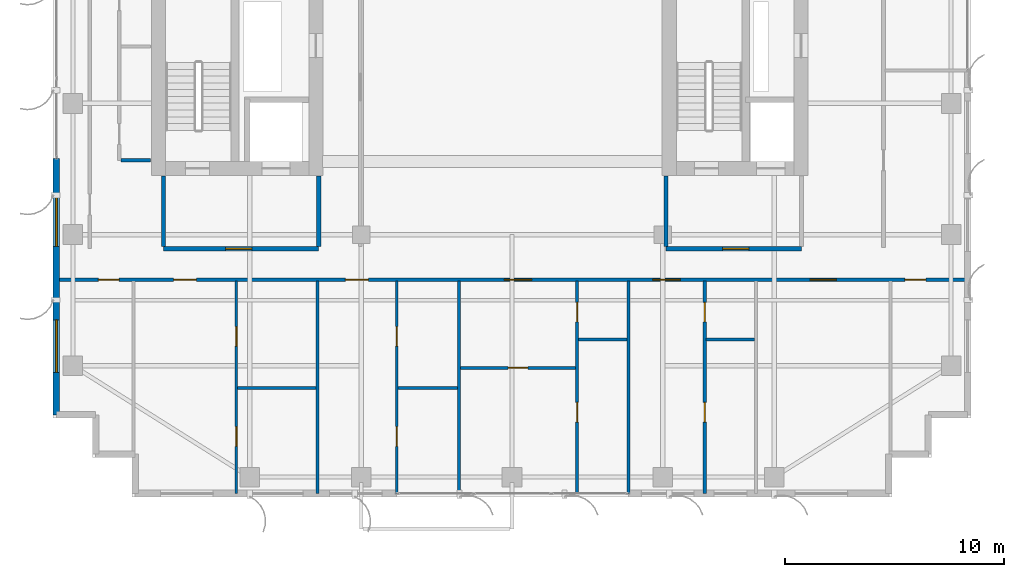
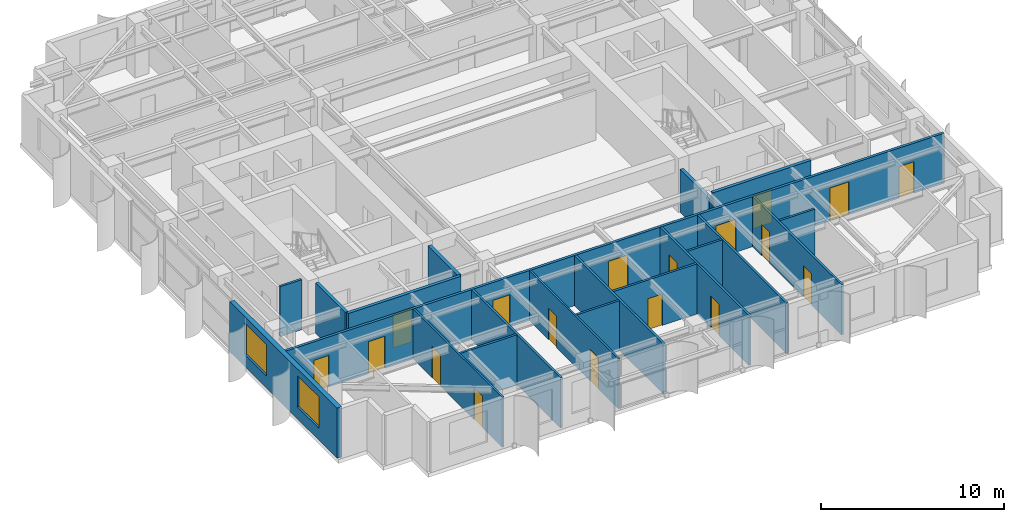
# One storey, part 16 of 23: 20 walls, 18 doors, 2 windows, 20 openings.
"""IFC4 building model written with IfcOpenShell, lengths in metres."""

from ifc_helpers import new_model, si_unit, direction, frame, frame_2d, origin, place, context, subcontext, project, spatial, rectangle, extrude, source, transform, mapped, material, layer, layer_set, type_object, element, fill, save


model = new_model("IFC4")

# Units and contexts
model_context = context("Model", 3, precision=1e-05, world=origin(), true_north=direction((0.0, 1.0)))
body_context = subcontext(model_context, "Body", "Model", "MODEL_VIEW")
ifc_project = project(units=[si_unit("LENGTHUNIT", "METRE"), si_unit("AREAUNIT", "SQUARE_METRE"), si_unit("VOLUMEUNIT", "CUBIC_METRE"), si_unit("PLANEANGLEUNIT", "RADIAN"), si_unit("MASSUNIT", "GRAM", prefix="KILO")], contexts=[model_context])

# Site, building, storey
site_placement = place(None, origin())
site = spatial("IfcSite", under=ifc_project, at=site_placement, CompositionType="ELEMENT")
building_placement = place(site_placement, origin())
building = spatial("IfcBuilding", under=site, at=building_placement, Name="Khoralis Quay Care Tower", CompositionType="ELEMENT")
storey_placement = place(building_placement, frame((0.0, 0.0, 173.699951171875)))
storey = spatial("IfcBuildingStorey", under=building, at=storey_placement, Name="L45", CompositionType="ELEMENT", Elevation=173.699951171875)

# Wall, opening, door
ifc_material_1 = material(Name="Gypsum plasterboard on acoustic metal stud")
ifc_layer_1 = layer(ifc_material_1, 0.199951171875)
ifc_layer_set_1 = layer_set([ifc_layer_1], Name="Gypsum plasterboard on acoustic metal stud")
wall_type_1 = type_object("IfcWallType", Name="WL-COMP-200", PredefinedType="PARTITIONING", material=ifc_layer_set_1)
wall_1_placement = place(storey_placement, frame((8.050048828125, 11.35009765625, 0.0), z_axis=(0.0, 0.0, 1.0), x_axis=(1.0, 0.0, 0.0)))
wall_1 = element("IfcWall", 1, at=wall_1_placement, inside=storey, type_object=wall_type_1, Name="L45 West Firefighting Lobby South Wall", PredefinedType="PARTITIONING", context=body_context, shape_type="SweptSolid", body=[
    extrude(rectangle(XDim=7.099853515625, YDim=0.199951171875, at=frame_2d((3.5498046875, 0.0))), origin(), (0.0, 0.0, 1.0), 3.340087890625),
])
opening_1_placement = place(wall_1_placement, frame((2.846435546875, 0.0, 0.0)))
opening_1 = element("IfcOpeningElement", 2, at=opening_1_placement, cuts=wall_1, Name="Opening FD1", PredefinedType="OPENING", context=body_context, shape_type="SweptSolid", body=[
    extrude(rectangle(XDim=1.199951171875, YDim=2.199951171875, at=frame_2d((0.60009765625, 1.10009765625))), frame((0.0, 0.10986328125, 0.0), z_axis=(0.0, -1.0, 0.0), x_axis=(1.0, 0.0, 0.0)), (0.0, 0.0, 1.0), 0.219970703125),
])
ifc_material_2 = material(Name="Fire-rated painted steel", Category="steel")
door_type_1 = type_object("IfcDoorType", Name="DR-FFL-1200X2200", OperationType="NOTDEFINED", PredefinedType="DOOR", material=ifc_material_2)
shared_shape_1 = source(origin(), body_context, "Body", "SweptSolid", [
    extrude(rectangle(XDim=1.199951171875, YDim=2.199951171875, at=frame_2d((0.60009765625, 1.10009765625))), frame((0.0, 0.02490234375, 0.0), z_axis=(0.0, -1.0, 0.0), x_axis=(1.0, 0.0, 0.0)), (0.0, 0.0, 1.0), 0.050048828125),
])
door_1_placement = place(opening_1_placement, origin())
door_1 = element("IfcDoor", 3, at=door_1_placement, inside=storey, type_object=door_type_1, Name="L45 West Firefighting Lobby Fire Door", OperationType="SINGLE_SWING_LEFT", OverallHeight=2.199951171875, OverallWidth=1.199951171875, PredefinedType="DOOR", context=body_context, shape_type="MappedRepresentation", body=[
    mapped(shared_shape_1, transform((0.0, 0.0, 0.0), scale=1.0)),
])
fill(opening_1, door_1)

# Walls
for number, where, z_axis, x_axis, name in (
    (4, (8.050048828125, 11.445068359375, 0.0), (0.0, 0.0, 1.0), (0.0, 1.0, 0.0), "L45 West Firefighting Lobby West Wall"),
    (5, (15.14990234375, 11.445068359375, 0.0), (0.0, 0.0, 1.0), (0.0, 1.0, 0.0), "L45 West Firefighting Lobby East Wall"),
):
    element("IfcWall", number, at=place(storey_placement, frame(where, z_axis=z_axis, x_axis=x_axis)), inside=storey, type_object=wall_type_1, Name=name, PredefinedType="PARTITIONING", context=body_context, shape_type="SweptSolid", body=[
        extrude(rectangle(XDim=3.23486328125, YDim=0.199951171875, at=frame_2d((1.617431640625, 0.0))), origin(), (0.0, 0.0, 1.0), 3.340087890625),
    ])

# Wall, opening, door
wall_2_placement = place(storey_placement, frame((31.050048828125, 11.35009765625, 0.0), z_axis=(0.0, 0.0, 1.0), x_axis=(1.0, 0.0, 0.0)))
wall_2 = element("IfcWall", 6, at=wall_2_placement, inside=storey, type_object=wall_type_1, Name="L45 East Firefighting Lobby South Wall", PredefinedType="PARTITIONING", context=body_context, shape_type="SweptSolid", body=[
    extrude(rectangle(XDim=6.199951171875, YDim=0.199951171875, at=frame_2d((3.10009765625, 0.0))), origin(), (0.0, 0.0, 1.0), 3.340087890625),
])
opening_2_placement = place(wall_2_placement, frame((2.585693359375, 0.0, 0.0)))
opening_2 = element("IfcOpeningElement", 7, at=opening_2_placement, cuts=wall_2, Name="Opening FD1", PredefinedType="OPENING", context=body_context, shape_type="SweptSolid", body=[
    extrude(rectangle(XDim=1.199951171875, YDim=2.199951171875, at=frame_2d((0.60009765625, 1.10009765625))), frame((0.0, 0.10986328125, 0.0), z_axis=(0.0, -1.0, 0.0), x_axis=(1.0, 0.0, 0.0)), (0.0, 0.0, 1.0), 0.219970703125),
])
door_2_placement = place(opening_2_placement, origin())
door_2 = element("IfcDoor", 8, at=door_2_placement, inside=storey, type_object=door_type_1, Name="L45 East Firefighting Lobby Fire Door", OperationType="SINGLE_SWING_RIGHT", OverallHeight=2.199951171875, OverallWidth=1.199951171875, PredefinedType="DOOR", context=body_context, shape_type="MappedRepresentation", body=[
    mapped(shared_shape_1, transform((0.0, 0.0, 0.0), scale=1.0)),
])
fill(opening_2, door_2)

# Wall
wall_3_placement = place(storey_placement, frame((31.050048828125, 11.445068359375, 0.0), z_axis=(0.0, 0.0, 1.0), x_axis=(0.0, 1.0, 0.0)))
element("IfcWall", 9, at=wall_3_placement, inside=storey, type_object=wall_type_1, Name="L45 East Firefighting Lobby West Wall", PredefinedType="PARTITIONING", context=body_context, shape_type="SweptSolid", body=[
    extrude(rectangle(XDim=3.23486328125, YDim=0.199951171875, at=frame_2d((1.617431640625, 0.0))), origin(), (0.0, 0.0, 1.0), 2.876953125),
])

# Wall, openings, doors
ifc_layer_2 = layer(ifc_material_1, 0.1650390625)
ifc_layer_set_2 = layer_set([ifc_layer_2], Name="Gypsum plasterboard on acoustic metal stud")
wall_type_2 = type_object("IfcWallType", Name="WL-CORR-165", PredefinedType="PARTITIONING", material=ifc_layer_set_2)
wall_4_placement = place(storey_placement, frame((3.14501953125, 9.93994140625, 0.0), z_axis=(0.0, 0.0, 1.0), x_axis=(1.0, 0.0, 0.0)))
wall_4 = element("IfcWall", 10, at=wall_4_placement, inside=storey, type_object=wall_type_2, Name="L45 South Main Corridor Wall", PredefinedType="PARTITIONING", context=body_context, shape_type="SweptSolid", body=[
    extrude(rectangle(XDim=41.7099609375, YDim=0.1650390625, at=frame_2d((20.85498046875, 0.0))), origin(), (0.0, 0.0, 1.0), 3.340087890625),
])
opening_3_placement = place(wall_4_placement, frame((5.364990234375, 0.0, 0.0)))
opening_3 = element("IfcOpeningElement", 11, at=opening_3_placement, cuts=wall_4, Name="Opening UD1", PredefinedType="OPENING", context=body_context, shape_type="SweptSolid", body=[
    extrude(rectangle(XDim=1.050048828125, YDim=2.14990234375, at=frame_2d((0.52490234375, 1.074951171875))), frame((0.0, 0.092529296875, 0.0), z_axis=(0.0, -1.0, 0.0), x_axis=(1.0, 0.0, 0.0)), (0.0, 0.0, 1.0), 0.18505859375),
])
opening_4_placement = place(wall_4_placement, frame((13.234619140625, 0.0, 0.0)))
opening_4 = element("IfcOpeningElement", 12, at=opening_4_placement, cuts=wall_4, Name="Opening UD1", PredefinedType="OPENING", context=body_context, shape_type="SweptSolid", body=[
    extrude(rectangle(XDim=1.050048828125, YDim=2.14990234375, at=frame_2d((0.52490234375, 1.074951171875))), frame((0.0, 0.092529296875, 0.0), z_axis=(0.0, -1.0, 0.0), x_axis=(1.0, 0.0, 0.0)), (0.0, 0.0, 1.0), 0.18505859375),
])
opening_5_placement = place(wall_4_placement, frame((20.5048828125, 0.0, 0.0)))
opening_5 = element("IfcOpeningElement", 13, at=opening_5_placement, cuts=wall_4, Name="Opening CD1", PredefinedType="OPENING", context=body_context, shape_type="SweptSolid", body=[
    extrude(rectangle(XDim=1.25, YDim=2.199951171875, at=frame_2d((0.625, 1.10009765625))), frame((0.0, 0.092529296875, 0.0), z_axis=(0.0, -1.0, 0.0), x_axis=(1.0, 0.0, 0.0)), (0.0, 0.0, 1.0), 0.18505859375),
])
opening_6_placement = place(wall_4_placement, frame((27.304931640625, 0.0, 0.0)))
opening_6 = element("IfcOpeningElement", 14, at=opening_6_placement, cuts=wall_4, Name="Opening CD1", PredefinedType="OPENING", context=body_context, shape_type="SweptSolid", body=[
    extrude(rectangle(XDim=1.25, YDim=2.199951171875, at=frame_2d((0.625, 1.10009765625))), frame((0.0, 0.092529296875, 0.0), z_axis=(0.0, -1.0, 0.0), x_axis=(1.0, 0.0, 0.0)), (0.0, 0.0, 1.0), 0.18505859375),
])
opening_7_placement = place(wall_4_placement, frame((34.5, 0.0, 0.0)))
opening_7 = element("IfcOpeningElement", 15, at=opening_7_placement, cuts=wall_4, Name="Opening FD1", PredefinedType="OPENING", context=body_context, shape_type="SweptSolid", body=[
    extrude(rectangle(XDim=1.199951171875, YDim=2.199951171875, at=frame_2d((0.60009765625, 1.10009765625))), frame((0.0, 0.092529296875, 0.0), z_axis=(0.0, -1.0, 0.0), x_axis=(1.0, 0.0, 0.0)), (0.0, 0.0, 1.0), 0.18505859375),
])
opening_8_placement = place(wall_4_placement, frame((1.919921875, 0.0, 0.0)))
opening_8 = element("IfcOpeningElement", 16, at=opening_8_placement, cuts=wall_4, Name="Opening ID1", PredefinedType="OPENING", context=body_context, shape_type="SweptSolid", body=[
    extrude(rectangle(XDim=0.949951171875, YDim=2.10009765625, at=frame_2d((0.47509765625, 1.050048828125))), frame((0.0, 0.092529296875, 0.0), z_axis=(0.0, -1.0, 0.0), x_axis=(1.0, 0.0, 0.0)), (0.0, 0.0, 1.0), 0.18505859375),
])
opening_9_placement = place(wall_4_placement, frame((38.840087890625, 0.0, 0.0)))
opening_9 = element("IfcOpeningElement", 17, at=opening_9_placement, cuts=wall_4, Name="Opening ID1", PredefinedType="OPENING", context=body_context, shape_type="SweptSolid", body=[
    extrude(rectangle(XDim=0.949951171875, YDim=2.10009765625, at=frame_2d((0.47509765625, 1.050048828125))), frame((0.0, 0.092529296875, 0.0), z_axis=(0.0, -1.0, 0.0), x_axis=(1.0, 0.0, 0.0)), (0.0, 0.0, 1.0), 0.18505859375),
])
door_3_placement = place(opening_7_placement, frame((1.199951171875, 0.0, 0.0), z_axis=(0.0, 0.0, 1.0), x_axis=(-1.0, 0.0, 0.0)))
door_3 = element("IfcDoor", 18, at=door_3_placement, inside=storey, type_object=door_type_1, Name="L45 Resident Communal Day Lounge Door", OperationType="DOUBLE_DOOR_SINGLE_SWING", OverallHeight=2.199951171875, OverallWidth=1.199951171875, PredefinedType="DOOR", context=body_context, shape_type="MappedRepresentation", body=[
    mapped(shared_shape_1, transform((0.0, 0.0, 0.0), scale=1.0)),
])
fill(opening_7, door_3)
ifc_material_3 = material(Name="Acoustic hardwood timber", Category="wood")
door_type_2 = type_object("IfcDoorType", Name="DR-CARE-1250X2200", OperationType="NOTDEFINED", PredefinedType="DOOR", material=ifc_material_3)
shared_shape_2 = source(origin(), body_context, "Body", "SweptSolid", [
    extrude(rectangle(XDim=1.25, YDim=2.199951171875, at=frame_2d((0.625, 1.10009765625))), frame((0.0, 0.02490234375, 0.0), z_axis=(0.0, -1.0, 0.0), x_axis=(1.0, 0.0, 0.0)), (0.0, 0.0, 1.0), 0.050048828125),
])
door_4_placement = place(opening_5_placement, frame((1.25, 0.0, 0.0), z_axis=(0.0, 0.0, 1.0), x_axis=(-1.0, 0.0, 0.0)))
door_4 = element("IfcDoor", 19, at=door_4_placement, inside=storey, type_object=door_type_2, Name="L45 Care Suite SB2 Clinical Door", OperationType="SINGLE_SWING_LEFT", OverallHeight=2.199951171875, OverallWidth=1.25, PredefinedType="DOOR", context=body_context, shape_type="MappedRepresentation", body=[
    mapped(shared_shape_2, transform((0.0, 0.0, 0.0), scale=1.0)),
])
fill(opening_5, door_4)
door_5_placement = place(opening_6_placement, frame((1.25, 0.0, 0.0), z_axis=(0.0, 0.0, 1.0), x_axis=(-1.0, 0.0, 0.0)))
door_5 = element("IfcDoor", 20, at=door_5_placement, inside=storey, type_object=door_type_2, Name="L45 Care Suite SB3 Clinical Door", OperationType="SINGLE_SWING_RIGHT", OverallHeight=2.199951171875, OverallWidth=1.25, PredefinedType="DOOR", context=body_context, shape_type="MappedRepresentation", body=[
    mapped(shared_shape_2, transform((0.0, 0.0, 0.0), scale=1.0)),
])
fill(opening_6, door_5)
door_type_3 = type_object("IfcDoorType", Name="DR-ROOM-950X2100", OperationType="NOTDEFINED", PredefinedType="DOOR", material=ifc_material_3)
shared_shape_3 = source(origin(), body_context, "Body", "SweptSolid", [
    extrude(rectangle(XDim=0.949951171875, YDim=2.10009765625, at=frame_2d((0.47509765625, 1.050048828125))), frame((0.0, 0.02490234375, 0.0), z_axis=(0.0, -1.0, 0.0), x_axis=(1.0, 0.0, 0.0)), (0.0, 0.0, 1.0), 0.050048828125),
])
door_6_placement = place(opening_8_placement, frame((0.949951171875, 0.0, 0.0), z_axis=(0.0, 0.0, 1.0), x_axis=(-1.0, 0.0, 0.0)))
door_6 = element("IfcDoor", 21, at=door_6_placement, inside=storey, type_object=door_type_3, Name="L45 SW Corner Door", OperationType="SINGLE_SWING_LEFT", OverallHeight=2.10009765625, OverallWidth=0.949951171875, PredefinedType="DOOR", context=body_context, shape_type="MappedRepresentation", body=[
    mapped(shared_shape_3, transform((0.0, 0.0, 0.0), scale=1.0)),
])
fill(opening_8, door_6)
door_7_placement = place(opening_9_placement, frame((0.949951171875, 0.0, 0.0), z_axis=(0.0, 0.0, 1.0), x_axis=(-1.0, 0.0, 0.0)))
door_7 = element("IfcDoor", 22, at=door_7_placement, inside=storey, type_object=door_type_3, Name="L45 SE Corner Door", OperationType="SINGLE_SWING_RIGHT", OverallHeight=2.10009765625, OverallWidth=0.949951171875, PredefinedType="DOOR", context=body_context, shape_type="MappedRepresentation", body=[
    mapped(shared_shape_3, transform((0.0, 0.0, 0.0), scale=1.0)),
])
fill(opening_9, door_7)
door_type_4 = type_object("IfcDoorType", Name="DR-SUITE-1050X2150", OperationType="NOTDEFINED", PredefinedType="DOOR", material=ifc_material_3)
shared_shape_4 = source(origin(), body_context, "Body", "SweptSolid", [
    extrude(rectangle(XDim=1.050048828125, YDim=2.14990234375, at=frame_2d((0.52490234375, 1.074951171875))), frame((0.0, 0.02490234375, 0.0), z_axis=(0.0, -1.0, 0.0), x_axis=(1.0, 0.0, 0.0)), (0.0, 0.0, 1.0), 0.050048828125),
])
door_8_placement = place(opening_3_placement, frame((1.050048828125, 0.0, 0.0), z_axis=(0.0, 0.0, 1.0), x_axis=(-1.0, 0.0, 0.0)))
door_8 = element("IfcDoor", 23, at=door_8_placement, inside=storey, type_object=door_type_4, Name="L45 Studio SB0 Entrance", OperationType="SINGLE_SWING_LEFT", OverallHeight=2.14990234375, OverallWidth=1.050048828125, PredefinedType="DOOR", context=body_context, shape_type="MappedRepresentation", body=[
    mapped(shared_shape_4, transform((0.0, 0.0, 0.0), scale=1.0)),
])
fill(opening_3, door_8)
door_9_placement = place(opening_4_placement, frame((1.050048828125, 0.0, 0.0), z_axis=(0.0, 0.0, 1.0), x_axis=(-1.0, 0.0, 0.0)))
door_9 = element("IfcDoor", 24, at=door_9_placement, inside=storey, type_object=door_type_4, Name="L45 Studio SB1 Entrance", OperationType="SINGLE_SWING_RIGHT", OverallHeight=2.14990234375, OverallWidth=1.050048828125, PredefinedType="DOOR", context=body_context, shape_type="MappedRepresentation", body=[
    mapped(shared_shape_4, transform((0.0, 0.0, 0.0), scale=1.0)),
])
fill(opening_4, door_9)

# Wall, openings, windows
ifc_material_4 = material(Name="Precast concrete C45/55", Category="concrete")
ifc_layer_3 = layer(ifc_material_4, 0.300048828125)
ifc_layer_set_3 = layer_set([ifc_layer_3], Name="Precast concrete C45/55")
wall_type_3 = type_object("IfcWallType", Name="WL-EXT-REF-300", PredefinedType="SOLIDWALL", material=ifc_layer_set_3)
wall_5_placement = place(storey_placement, frame((3.14990234375, 15.47998046875, 0.0), z_axis=(0.0, 0.0, 1.0), x_axis=(0.0, -1.0, 0.0)))
wall_5 = element("IfcWall", 25, at=wall_5_placement, inside=storey, type_object=wall_type_3, Name="L45 External Facade Wall WL-EXT-L45-P1-E15B", PredefinedType="SOLIDWALL", context=body_context, shape_type="SweptSolid", body=[
    extrude(rectangle(XDim=11.72998046875, YDim=0.300048828125, at=frame_2d((5.864990234375, 0.0))), origin(), (0.0, 0.0, 1.0), 3.340087890625),
])
opening_10_placement = place(wall_5_placement, frame((1.6201171875, 0.0, 0.800048828125)))
opening_10 = element("IfcOpeningElement", 26, at=opening_10_placement, cuts=wall_5, Name="Opening W1", PredefinedType="OPENING", context=body_context, shape_type="SweptSolid", body=[
    extrude(rectangle(XDim=2.39990234375, YDim=2.10009765625, at=frame_2d((1.199951171875, 1.050048828125))), frame((0.0, 0.16015625, 0.0), z_axis=(0.0, -1.0, 0.0), x_axis=(1.0, 0.0, 0.0)), (0.0, 0.0, 1.0), 0.320068359375),
])
opening_11_placement = place(wall_5_placement, frame((7.385009765625, 0.0, 0.800048828125)))
opening_11 = element("IfcOpeningElement", 27, at=opening_11_placement, cuts=wall_5, Name="Opening W1", PredefinedType="OPENING", context=body_context, shape_type="SweptSolid", body=[
    extrude(rectangle(XDim=2.39990234375, YDim=2.10009765625, at=frame_2d((1.199951171875, 1.050048828125))), frame((0.0, 0.16015625, 0.0), z_axis=(0.0, -1.0, 0.0), x_axis=(1.0, 0.0, 0.0)), (0.0, 0.0, 1.0), 0.320068359375),
])
ifc_material_5 = material(Name="Low-E solar-control double glazing", Category="glass")
window_type = type_object("IfcWindowType", Name="WN-POD-2400X2100", PartitioningType="SINGLE_PANEL", PredefinedType="WINDOW", material=ifc_material_5)
shared_shape_5 = source(origin(), body_context, "Body", "SweptSolid", [
    extrude(rectangle(XDim=2.39990234375, YDim=2.10009765625, at=frame_2d((1.199951171875, 1.050048828125))), frame((0.0, 0.030029296875, 0.0), z_axis=(0.0, -1.0, 0.0), x_axis=(1.0, 0.0, 0.0)), (0.0, 0.0, 1.0), 0.06005859375),
])
window_1_placement = place(opening_10_placement, origin())
window_1 = element("IfcWindow", 28, at=window_1_placement, inside=storey, type_object=window_type, Name="WN-L45-P1-E15B Facade Window 01", OverallHeight=2.10009765625, OverallWidth=2.39990234375, PartitioningType="SINGLE_PANEL", PredefinedType="WINDOW", context=body_context, shape_type="MappedRepresentation", body=[
    mapped(shared_shape_5, transform((0.0, 0.0, 0.0), scale=1.0)),
])
fill(opening_10, window_1)
window_2_placement = place(opening_11_placement, origin())
window_2 = element("IfcWindow", 29, at=window_2_placement, inside=storey, type_object=window_type, Name="WN-L45-P1-E15B Facade Window 02", OverallHeight=2.10009765625, OverallWidth=2.39990234375, PartitioningType="SINGLE_PANEL", PredefinedType="WINDOW", context=body_context, shape_type="MappedRepresentation", body=[
    mapped(shared_shape_5, transform((0.0, 0.0, 0.0), scale=1.0)),
])
fill(opening_11, window_2)

# Wall, openings, doors
ifc_layer_4 = layer(ifc_material_1, 0.114990234375)
ifc_layer_set_4 = layer_set([ifc_layer_4], Name="Gypsum plasterboard on acoustic metal stud")
wall_type_4 = type_object("IfcWallType", Name="WL-PART-115", PredefinedType="PARTITIONING", material=ifc_layer_set_4)
wall_6_placement = place(storey_placement, frame((11.389892578125, 0.14501953125, 0.0), z_axis=(0.0, 0.0, 1.0), x_axis=(0.0, 1.0, 0.0)))
wall_6 = element("IfcWall", 30, at=wall_6_placement, inside=storey, type_object=wall_type_4, Name="L45 Studio 0 Internal Wall", PredefinedType="PARTITIONING", context=body_context, shape_type="SweptSolid", body=[
    extrude(rectangle(XDim=9.717529296875, YDim=0.114990234375, at=frame_2d((4.85888671875, 0.0))), origin(), (0.0, 0.0, 1.0), 3.340087890625),
])
opening_12_placement = place(wall_6_placement, frame((2.1650390625, 0.0, 0.0)))
opening_12 = element("IfcOpeningElement", 31, at=opening_12_placement, cuts=wall_6, Name="Opening WD1", PredefinedType="OPENING", context=body_context, shape_type="SweptSolid", body=[
    extrude(rectangle(XDim=0.89990234375, YDim=2.10009765625, at=frame_2d((0.449951171875, 1.050048828125))), frame((0.0, 0.0673828125, 0.0), z_axis=(0.0, -1.0, 0.0), x_axis=(1.0, 0.0, 0.0)), (0.0, 0.0, 1.0), 0.135009765625),
])
opening_13_placement = place(wall_6_placement, frame((6.7451171875, 0.0, 0.0)))
opening_13 = element("IfcOpeningElement", 32, at=opening_13_placement, cuts=wall_6, Name="Opening WD1", PredefinedType="OPENING", context=body_context, shape_type="SweptSolid", body=[
    extrude(rectangle(XDim=0.89990234375, YDim=2.10009765625, at=frame_2d((0.449951171875, 1.050048828125))), frame((0.0, 0.0673828125, 0.0), z_axis=(0.0, -1.0, 0.0), x_axis=(1.0, 0.0, 0.0)), (0.0, 0.0, 1.0), 0.135009765625),
])
door_type_5 = type_object("IfcDoorType", Name="DR-BATH-900X2100", OperationType="NOTDEFINED", PredefinedType="DOOR", material=ifc_material_3)
shared_shape_6 = source(origin(), body_context, "Body", "SweptSolid", [
    extrude(rectangle(XDim=0.89990234375, YDim=2.10009765625, at=frame_2d((0.449951171875, 1.050048828125))), frame((0.0, 0.02490234375, 0.0), z_axis=(0.0, -1.0, 0.0), x_axis=(1.0, 0.0, 0.0)), (0.0, 0.0, 1.0), 0.050048828125),
])
door_10_placement = place(opening_12_placement, frame((0.89990234375, 0.0, 0.0), z_axis=(0.0, 0.0, 1.0), x_axis=(-1.0, 0.0, 0.0)))
door_10 = element("IfcDoor", 33, at=door_10_placement, inside=storey, type_object=door_type_5, Name="L45 Studio SKT Door", OperationType="SINGLE_SWING_RIGHT", OverallHeight=2.10009765625, OverallWidth=0.89990234375, PredefinedType="DOOR", context=body_context, shape_type="MappedRepresentation", body=[
    mapped(shared_shape_6, transform((0.0, 0.0, 0.0), scale=1.0)),
])
fill(opening_12, door_10)
door_11_placement = place(opening_13_placement, frame((0.89990234375, 0.0, 0.0), z_axis=(0.0, 0.0, 1.0), x_axis=(-1.0, 0.0, 0.0)))
door_11 = element("IfcDoor", 34, at=door_11_placement, inside=storey, type_object=door_type_5, Name="L45 Studio SBH Door", OperationType="SINGLE_SWING_LEFT", OverallHeight=2.10009765625, OverallWidth=0.89990234375, PredefinedType="DOOR", context=body_context, shape_type="MappedRepresentation", body=[
    mapped(shared_shape_6, transform((0.0, 0.0, 0.0), scale=1.0)),
])
fill(opening_13, door_11)

wall_7_placement = place(storey_placement, frame((18.718994140625, 0.14501953125, 0.0), z_axis=(0.0, 0.0, 1.0), x_axis=(0.0, 1.0, 0.0)))
wall_7 = element("IfcWall", 35, at=wall_7_placement, inside=storey, type_object=wall_type_4, Name="L45 Studio 1 Internal Wall", PredefinedType="PARTITIONING", context=body_context, shape_type="SweptSolid", body=[
    extrude(rectangle(XDim=9.717529296875, YDim=0.114990234375, at=frame_2d((4.85888671875, 0.0))), origin(), (0.0, 0.0, 1.0), 3.340087890625),
])
opening_14_placement = place(wall_7_placement, frame((2.1650390625, 0.0, 0.0)))
opening_14 = element("IfcOpeningElement", 36, at=opening_14_placement, cuts=wall_7, Name="Opening WD1", PredefinedType="OPENING", context=body_context, shape_type="SweptSolid", body=[
    extrude(rectangle(XDim=0.89990234375, YDim=2.10009765625, at=frame_2d((0.449951171875, 1.050048828125))), frame((0.0, 0.0673828125, 0.0), z_axis=(0.0, -1.0, 0.0), x_axis=(1.0, 0.0, 0.0)), (0.0, 0.0, 1.0), 0.135009765625),
])
opening_15_placement = place(wall_7_placement, frame((6.7451171875, 0.0, 0.0)))
opening_15 = element("IfcOpeningElement", 37, at=opening_15_placement, cuts=wall_7, Name="Opening WD1", PredefinedType="OPENING", context=body_context, shape_type="SweptSolid", body=[
    extrude(rectangle(XDim=0.89990234375, YDim=2.10009765625, at=frame_2d((0.449951171875, 1.050048828125))), frame((0.0, 0.0673828125, 0.0), z_axis=(0.0, -1.0, 0.0), x_axis=(1.0, 0.0, 0.0)), (0.0, 0.0, 1.0), 0.135009765625),
])
door_12_placement = place(opening_14_placement, frame((0.89990234375, 0.0, 0.0), z_axis=(0.0, 0.0, 1.0), x_axis=(-1.0, 0.0, 0.0)))
door_12 = element("IfcDoor", 38, at=door_12_placement, inside=storey, type_object=door_type_5, Name="L45 Studio SKT Door", OperationType="SINGLE_SWING_LEFT", OverallHeight=2.10009765625, OverallWidth=0.89990234375, PredefinedType="DOOR", context=body_context, shape_type="MappedRepresentation", body=[
    mapped(shared_shape_6, transform((0.0, 0.0, 0.0), scale=1.0)),
])
fill(opening_14, door_12)
door_13_placement = place(opening_15_placement, frame((0.89990234375, 0.0, 0.0), z_axis=(0.0, 0.0, 1.0), x_axis=(-1.0, 0.0, 0.0)))
door_13 = element("IfcDoor", 39, at=door_13_placement, inside=storey, type_object=door_type_5, Name="L45 Studio SBH Door", OperationType="SINGLE_SWING_RIGHT", OverallHeight=2.10009765625, OverallWidth=0.89990234375, PredefinedType="DOOR", context=body_context, shape_type="MappedRepresentation", body=[
    mapped(shared_shape_6, transform((0.0, 0.0, 0.0), scale=1.0)),
])
fill(opening_15, door_13)

# Walls
ifc_material_6 = material(Name="Moisture-resistant gypsum and ceramic tile")
ifc_layer_5 = layer(ifc_material_6, 0.280029296875)
ifc_layer_set_5 = layer_set([ifc_layer_5], Name="Moisture-resistant gypsum and ceramic tile")
wall_type_5 = type_object("IfcWallType", Name="WL-PLUMB-280", PredefinedType="PLUMBINGWALL", material=ifc_layer_set_5)
wall_8_placement = place(storey_placement, frame((11.4423828125, 4.969970703125, 0.0), z_axis=(0.0, 0.0, 1.0), x_axis=(1.0, 0.0, 0.0)))
element("IfcWall", 40, at=wall_8_placement, inside=storey, type_object=wall_type_5, Name="L45 Studio 0 Wet Split", PredefinedType="PLUMBINGWALL", context=body_context, shape_type="SweptSolid", body=[
    extrude(rectangle(XDim=3.58251953125, YDim=0.139892578125, at=frame_2d((1.791259765625, 0.0))), origin(), (0.0, 0.0, 1.0), 3.340087890625),
])
wall_9_placement = place(storey_placement, frame((18.771484375, 4.969970703125, 0.0), z_axis=(0.0, 0.0, 1.0), x_axis=(1.0, 0.0, 0.0)))
element("IfcWall", 41, at=wall_9_placement, inside=storey, type_object=wall_type_5, Name="L45 Studio 1 Wet Split", PredefinedType="PLUMBINGWALL", context=body_context, shape_type="SweptSolid", body=[
    extrude(rectangle(XDim=2.7333984375, YDim=0.139892578125, at=frame_2d((1.36669921875, 0.0))), origin(), (0.0, 0.0, 1.0), 3.340087890625),
])

# Wall, openings, doors
wall_10_placement = place(storey_placement, frame((26.97998046875, 0.14501953125, 0.0), z_axis=(0.0, 0.0, 1.0), x_axis=(0.0, 1.0, 0.0)))
wall_10 = element("IfcWall", 42, at=wall_10_placement, inside=storey, type_object=wall_type_5, Name="L45 Care Suite 2 En-Suite Wall V", PredefinedType="PLUMBINGWALL", context=body_context, shape_type="SweptSolid", body=[
    extrude(rectangle(XDim=9.717529296875, YDim=0.139892578125, at=frame_2d((4.85888671875, 0.0))), origin(), (0.0, 0.0, 1.0), 3.340087890625),
])
opening_16_placement = place(wall_10_placement, frame((7.85498046875, 0.0, 0.0)))
opening_16 = element("IfcOpeningElement", 43, at=opening_16_placement, cuts=wall_10, Name="Opening WD1", PredefinedType="OPENING", context=body_context, shape_type="SweptSolid", body=[
    extrude(rectangle(XDim=0.89990234375, YDim=2.10009765625, at=frame_2d((0.449951171875, 1.050048828125))), frame((0.0, 0.080078125, 0.0), z_axis=(0.0, -1.0, 0.0), x_axis=(1.0, 0.0, 0.0)), (0.0, 0.0, 1.0), 0.159912109375),
])
opening_17_placement = place(wall_10_placement, frame((3.27490234375, 0.0, 0.0)))
opening_17 = element("IfcOpeningElement", 44, at=opening_17_placement, cuts=wall_10, Name="Opening WD1", PredefinedType="OPENING", context=body_context, shape_type="SweptSolid", body=[
    extrude(rectangle(XDim=0.89990234375, YDim=2.10009765625, at=frame_2d((0.449951171875, 1.050048828125))), frame((0.0, 0.080078125, 0.0), z_axis=(0.0, -1.0, 0.0), x_axis=(1.0, 0.0, 0.0)), (0.0, 0.0, 1.0), 0.159912109375),
])
door_14_placement = place(opening_16_placement, frame((0.89990234375, 0.0, 0.0), z_axis=(0.0, 0.0, 1.0), x_axis=(-1.0, 0.0, 0.0)))
door_14 = element("IfcDoor", 45, at=door_14_placement, inside=storey, type_object=door_type_5, Name="L45 Care CENS Door", OperationType="SINGLE_SWING_RIGHT", OverallHeight=2.10009765625, OverallWidth=0.89990234375, PredefinedType="DOOR", context=body_context, shape_type="MappedRepresentation", body=[
    mapped(shared_shape_6, transform((0.0, 0.0, 0.0), scale=1.0)),
])
fill(opening_16, door_14)
door_15_placement = place(opening_17_placement, frame((0.89990234375, 0.0, 0.0), z_axis=(0.0, 0.0, 1.0), x_axis=(-1.0, 0.0, 0.0)))
door_15 = element("IfcDoor", 46, at=door_15_placement, inside=storey, type_object=door_type_5, Name="L45 Care CSIT Door", OperationType="SINGLE_SWING_LEFT", OverallHeight=2.10009765625, OverallWidth=0.89990234375, PredefinedType="DOOR", context=body_context, shape_type="MappedRepresentation", body=[
    mapped(shared_shape_6, transform((0.0, 0.0, 0.0), scale=1.0)),
])
fill(opening_17, door_15)

# Wall
wall_11_placement = place(storey_placement, frame((27.044921875, 7.18994140625, 0.0), z_axis=(0.0, 0.0, 1.0), x_axis=(1.0, 0.0, 0.0)))
element("IfcWall", 47, at=wall_11_placement, inside=storey, type_object=wall_type_5, Name="L45 Care Suite 2 En-Suite Wall H", PredefinedType="PLUMBINGWALL", context=body_context, shape_type="SweptSolid", body=[
    extrude(rectangle(XDim=2.219970703125, YDim=0.139892578125, at=frame_2d((1.10986328125, 0.0))), origin(), (0.0, 0.0, 1.0), 3.340087890625),
])

# Wall, openings, doors
wall_12_placement = place(storey_placement, frame((32.820068359375, 0.14501953125, 0.0), z_axis=(0.0, 0.0, 1.0), x_axis=(0.0, 1.0, 0.0)))
wall_12 = element("IfcWall", 48, at=wall_12_placement, inside=storey, type_object=wall_type_5, Name="L45 Care Suite 3 En-Suite Wall V", PredefinedType="PLUMBINGWALL", context=body_context, shape_type="SweptSolid", body=[
    extrude(rectangle(XDim=9.717529296875, YDim=0.139892578125, at=frame_2d((4.85888671875, 0.0))), origin(), (0.0, 0.0, 1.0), 3.340087890625),
])
opening_18_placement = place(wall_12_placement, frame((7.85498046875, 0.0, 0.0)))
opening_18 = element("IfcOpeningElement", 49, at=opening_18_placement, cuts=wall_12, Name="Opening WD1", PredefinedType="OPENING", context=body_context, shape_type="SweptSolid", body=[
    extrude(rectangle(XDim=0.89990234375, YDim=2.10009765625, at=frame_2d((0.449951171875, 1.050048828125))), frame((0.0, 0.080078125, 0.0), z_axis=(0.0, -1.0, 0.0), x_axis=(1.0, 0.0, 0.0)), (0.0, 0.0, 1.0), 0.159912109375),
])
opening_19_placement = place(wall_12_placement, frame((3.27490234375, 0.0, 0.0)))
opening_19 = element("IfcOpeningElement", 50, at=opening_19_placement, cuts=wall_12, Name="Opening WD1", PredefinedType="OPENING", context=body_context, shape_type="SweptSolid", body=[
    extrude(rectangle(XDim=0.89990234375, YDim=2.10009765625, at=frame_2d((0.449951171875, 1.050048828125))), frame((0.0, 0.080078125, 0.0), z_axis=(0.0, -1.0, 0.0), x_axis=(1.0, 0.0, 0.0)), (0.0, 0.0, 1.0), 0.159912109375),
])
door_16_placement = place(opening_18_placement, frame((0.89990234375, 0.0, 0.0), z_axis=(0.0, 0.0, 1.0), x_axis=(-1.0, 0.0, 0.0)))
door_16 = element("IfcDoor", 51, at=door_16_placement, inside=storey, type_object=door_type_5, Name="L45 Care CENS Door", OperationType="SINGLE_SWING_LEFT", OverallHeight=2.10009765625, OverallWidth=0.89990234375, PredefinedType="DOOR", context=body_context, shape_type="MappedRepresentation", body=[
    mapped(shared_shape_6, transform((0.0, 0.0, 0.0), scale=1.0)),
])
fill(opening_18, door_16)
door_17_placement = place(opening_19_placement, frame((0.89990234375, 0.0, 0.0), z_axis=(0.0, 0.0, 1.0), x_axis=(-1.0, 0.0, 0.0)))
door_17 = element("IfcDoor", 52, at=door_17_placement, inside=storey, type_object=door_type_5, Name="L45 Care CSIT Door", OperationType="SINGLE_SWING_RIGHT", OverallHeight=2.10009765625, OverallWidth=0.89990234375, PredefinedType="DOOR", context=body_context, shape_type="MappedRepresentation", body=[
    mapped(shared_shape_6, transform((0.0, 0.0, 0.0), scale=1.0)),
])
fill(opening_19, door_17)

# Walls
wall_13_placement = place(storey_placement, frame((32.885009765625, 7.18994140625, 0.0), z_axis=(0.0, 0.0, 1.0), x_axis=(1.0, 0.0, 0.0)))
element("IfcWall", 53, at=wall_13_placement, inside=storey, type_object=wall_type_5, Name="L45 Care Suite 3 En-Suite Wall H", PredefinedType="PLUMBINGWALL", context=body_context, shape_type="SweptSolid", body=[
    extrude(rectangle(XDim=2.219970703125, YDim=0.139892578125, at=frame_2d((1.10986328125, 0.0))), origin(), (0.0, 0.0, 1.0), 3.340087890625),
])
ifc_layer_6 = layer(ifc_material_1, 0.139892578125)
ifc_layer_set_6 = layer_set([ifc_layer_6], Name="Gypsum plasterboard on acoustic metal stud")
wall_type_6 = type_object("IfcWallType", Name="WL-UNIT-140", PredefinedType="PARTITIONING", material=ifc_layer_set_6)
wall_14_placement = place(storey_placement, frame((6.097412109375, 15.39990234375, 0.0), z_axis=(0.0, 0.0, 1.0), x_axis=(1.0, 0.0, 0.0)))
element("IfcWall", 54, at=wall_14_placement, inside=storey, type_object=wall_type_6, Name="L45 West Flank South Cap", PredefinedType="PARTITIONING", context=body_context, shape_type="SweptSolid", body=[
    extrude(rectangle(XDim=1.362548828125, YDim=0.139892578125, at=frame_2d((0.68115234375, 0.0))), origin(), (0.0, 0.0, 1.0), 3.340087890625),
])
for number, where, z_axis, x_axis, name in (
    (55, (15.090087890625, 0.14501953125, 0.0), (0.0, 0.0, 1.0), (0.0, 1.0, 0.0), "L45 SB Demising Wall 1"),
    (56, (21.570068359375, 0.14501953125, 0.0), (0.0, 0.0, 1.0), (0.0, 1.0, 0.0), "L45 SB Demising Wall 2"),
    (57, (29.330078125, 0.14501953125, 0.0), (0.0, 0.0, 1.0), (0.0, 1.0, 0.0), "L45 SB Demising Wall 3"),
):
    element("IfcWall", number, at=place(storey_placement, frame(where, z_axis=z_axis, x_axis=x_axis)), inside=storey, type_object=wall_type_6, Name=name, PredefinedType="PARTITIONING", context=body_context, shape_type="SweptSolid", body=[
        extrude(rectangle(XDim=9.717529296875, YDim=0.139892578125, at=frame_2d((4.85888671875, 0.0))), origin(), (0.0, 0.0, 1.0), 3.340087890625),
    ])

# Wall, opening, door
wall_15_placement = place(storey_placement, frame((21.635009765625, 5.89990234375, 0.0), z_axis=(0.0, 0.0, 1.0), x_axis=(1.0, 0.0, 0.0)))
wall_15 = element("IfcWall", 58, at=wall_15_placement, inside=storey, type_object=wall_type_6, Name="Skilled Care Bedroom L45-SB2 Sub-Partition", PredefinedType="PARTITIONING", context=body_context, shape_type="SweptSolid", body=[
    extrude(rectangle(XDim=5.280029296875, YDim=0.139892578125, at=frame_2d((2.64013671875, 0.0))), origin(), (0.0, 0.0, 1.0), 3.340087890625),
])
opening_20_placement = place(wall_15_placement, frame((2.18994140625, 0.0, 0.0)))
opening_20 = element("IfcOpeningElement", 59, at=opening_20_placement, cuts=wall_15, Name="Opening WD1", PredefinedType="OPENING", context=body_context, shape_type="SweptSolid", body=[
    extrude(rectangle(XDim=0.89990234375, YDim=2.10009765625, at=frame_2d((0.449951171875, 1.050048828125))), frame((0.0, 0.080078125, 0.0), z_axis=(0.0, -1.0, 0.0), x_axis=(1.0, 0.0, 0.0)), (0.0, 0.0, 1.0), 0.159912109375),
])
door_18_placement = place(opening_20_placement, origin())
door_18 = element("IfcDoor", 60, at=door_18_placement, inside=storey, type_object=door_type_5, Name="Private Study & Reading Alcove ARE2 Door", OperationType="SINGLE_SWING_LEFT", OverallHeight=2.10009765625, OverallWidth=0.89990234375, PredefinedType="DOOR", context=body_context, shape_type="MappedRepresentation", body=[
    mapped(shared_shape_6, transform((0.0, 0.0, 0.0), scale=1.0)),
])
fill(opening_20, door_18)

save(model, "model.ifc")
